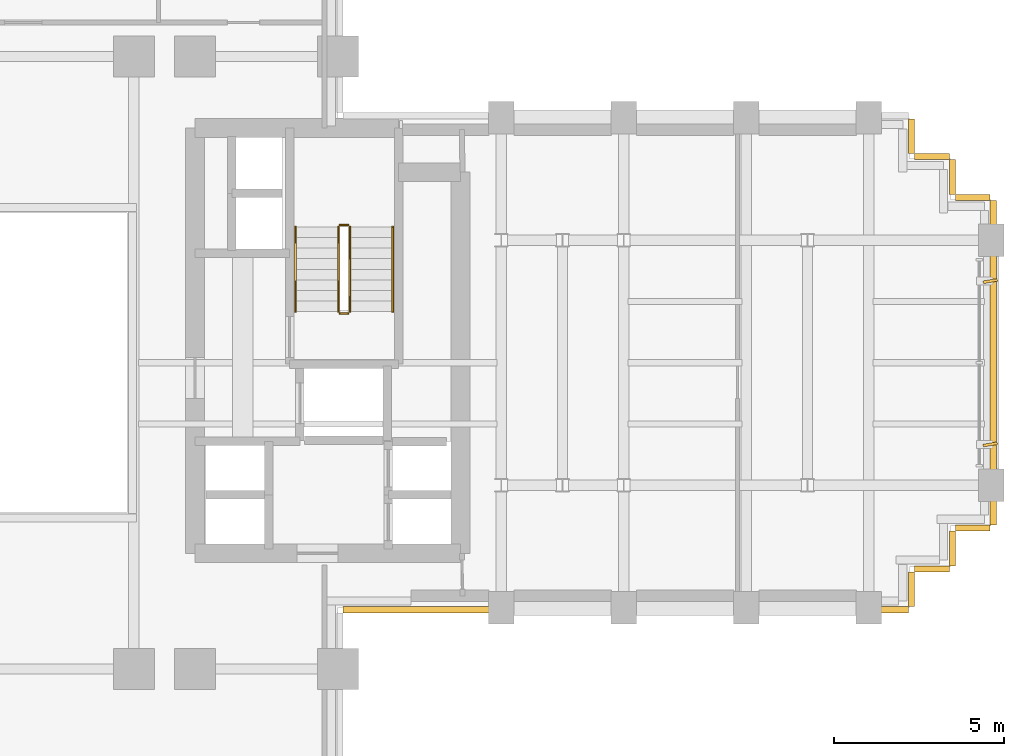
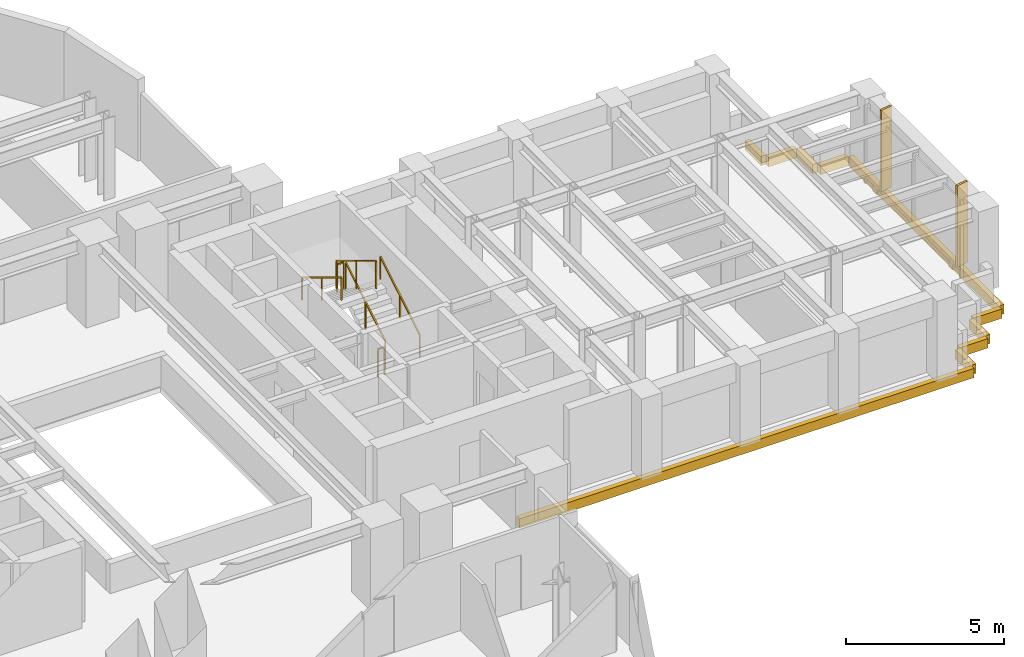
# One storey, part 15 of 16: 10 coverings, 6 railings, 2 shading devices.
"""IFC4 building model written with IfcOpenShell, lengths in metres."""

from ifc_helpers import new_model, si_unit, direction, frame, origin, origin_2d, place, context, subcontext, project, spatial, rectangle, extrude, source, transform, mapped, material, layer, layer_set, type_object, element, save


model = new_model("IFC4")

# Units and contexts
model_context = context("Model", 3, precision=1e-05, world=origin(), true_north=direction((0.0, 1.0)))
body_context = subcontext(model_context, "Body", "Model", "MODEL_VIEW")
ifc_project = project(units=[si_unit("LENGTHUNIT", "METRE"), si_unit("AREAUNIT", "SQUARE_METRE"), si_unit("VOLUMEUNIT", "CUBIC_METRE"), si_unit("PLANEANGLEUNIT", "RADIAN"), si_unit("MASSUNIT", "GRAM", prefix="KILO")], contexts=[model_context])

# Site, building, storey
site_placement = place(None, origin())
site = spatial("IfcSite", under=ifc_project, at=site_placement, CompositionType="ELEMENT")
building_placement = place(site_placement, origin())
building = spatial("IfcBuilding", under=site, at=building_placement, Name="Keilestroom Media Tower", CompositionType="ELEMENT")
storey_placement = place(building_placement, frame((0.0, 0.0, 85.0)))
storey = spatial("IfcBuildingStorey", under=building, at=storey_placement, Name="L22", CompositionType="ELEMENT", Elevation=85.0)

# Railings
ifc_material_1 = material(Name="Brushed Stainless Steel 1.4301", Category="steel")
railing_type_1 = type_object("IfcRailingType", Name="Stair-Pitch-Handrail-920", PredefinedType="HANDRAIL", material=ifc_material_1)
railing_1_placement = place(storey_placement, frame((11.2099609375, 1.5, 0.18896484375)))
element("IfcRailing", 1, at=railing_1_placement, inside=storey, type_object=railing_type_1, Name="L22 ST-2 stair handrail 1", PredefinedType="HANDRAIL", context=body_context, shape_type="SweptSolid", body=[
    extrude(rectangle(XDim=0.048095703125, YDim=0.048095703125, at=origin_2d()), frame((0.0, 0.0, 0.8759765625), z_axis=(0.0, 0.855470815493, 0.517851024754), x_axis=(-1.0, 0.0, 0.0)), (0.0, 0.0, 1.0), 2.917724609375),
    extrude(rectangle(XDim=0.0419921875, YDim=0.0419921875, at=origin_2d()), origin(), (0.0, 0.0, 1.0), 0.84375),
    extrude(rectangle(XDim=0.0419921875, YDim=0.0419921875, at=origin_2d()), frame((0.0, 1.248046875, 0.75537109375)), (0.0, 0.0, 1.0), 0.84375),
    extrude(rectangle(XDim=0.0419921875, YDim=0.0419921875, at=origin_2d()), frame((0.0, 2.49609375, 1.510986328125)), (0.0, 0.0, 1.0), 0.84375),
])
railing_2_placement = place(storey_placement, frame((8.35009765625, 3.99609375, 1.888916015625)))
element("IfcRailing", 2, at=railing_2_placement, inside=storey, type_object=railing_type_1, Name="L22 ST-2 stair handrail 2", PredefinedType="HANDRAIL", context=body_context, shape_type="SweptSolid", body=[
    extrude(rectangle(XDim=0.048095703125, YDim=0.048095703125, at=origin_2d()), frame((0.0, 0.0, 0.8759765625), z_axis=(0.0, -0.855470815493, 0.517851024754), x_axis=(1.0, 0.0, 0.0)), (0.0, 0.0, 1.0), 2.917724609375),
    extrude(rectangle(XDim=0.0419921875, YDim=0.0419921875, at=origin_2d()), origin(), (0.0, 0.0, 1.0), 0.84375),
    extrude(rectangle(XDim=0.0419921875, YDim=0.0419921875, at=origin_2d()), frame((0.0, -1.248046875, 0.75537109375)), (0.0, 0.0, 1.0), 0.84375),
    extrude(rectangle(XDim=0.0419921875, YDim=0.0419921875, at=origin_2d()), frame((0.0, -2.49609375, 1.510986328125)), (0.0, 0.0, 1.0), 0.84375),
])
ifc_material_2 = material(Name="Painted Steel Balustrade", Category="steel")
railing_type_2 = type_object("IfcRailingType", Name="Stair-Well-And-Landing-Guard-1100", PredefinedType="GUARDRAIL", material=ifc_material_2)
railing_3_placement = place(storey_placement, frame((9.949951171875, 1.5, 0.18896484375)))
element("IfcRailing", 3, at=railing_3_placement, inside=storey, type_object=railing_type_2, Name="L22 ST-2 stair guard 1", PredefinedType="GUARDRAIL", context=body_context, shape_type="SweptSolid", body=[
    extrude(rectangle(XDim=0.048095703125, YDim=0.048095703125, at=origin_2d()), frame((0.0, 0.0, 1.076171875), z_axis=(0.0, 0.855470815493, 0.517851024754), x_axis=(-1.0, 0.0, 0.0)), (0.0, 0.0, 1.0), 2.917724609375),
    extrude(rectangle(XDim=0.0419921875, YDim=0.0419921875, at=origin_2d()), origin(), (0.0, 0.0, 1.0), 1.0439453125),
    extrude(rectangle(XDim=0.0419921875, YDim=0.0419921875, at=origin_2d()), frame((0.0, 1.248046875, 0.75537109375)), (0.0, 0.0, 1.0), 1.0439453125),
    extrude(rectangle(XDim=0.0419921875, YDim=0.0419921875, at=origin_2d()), frame((0.0, 2.49609375, 1.510986328125)), (0.0, 0.0, 1.0), 1.0439453125),
])
railing_4_placement = place(storey_placement, frame((9.89990234375, 4.0458984375, 1.699951171875)))
element("IfcRailing", 4, at=railing_4_placement, inside=storey, type_object=railing_type_2, Name="L22 ST-2 stair guard 2", PredefinedType="GUARDRAIL", context=body_context, shape_type="SweptSolid", body=[
    extrude(rectangle(XDim=0.048095703125, YDim=0.048095703125, at=origin_2d()), frame((0.0, 0.0, 1.076171875), z_axis=(-1.0, 0.0, 0.0), x_axis=(0.0, -1.0, 0.0)), (0.0, 0.0, 1.0), 0.239990234375),
    extrude(rectangle(XDim=0.0419921875, YDim=0.0419921875, at=origin_2d()), origin(), (0.0, 0.0, 1.0), 1.0439453125),
    extrude(rectangle(XDim=0.0419921875, YDim=0.0419921875, at=origin_2d()), frame((-0.239990234375, 0.0, 0.0)), (0.0, 0.0, 1.0), 1.0439453125),
])
railing_5_placement = place(storey_placement, frame((9.610107421875, 3.99609375, 1.888916015625)))
element("IfcRailing", 5, at=railing_5_placement, inside=storey, type_object=railing_type_2, Name="L22 ST-2 stair guard 3", PredefinedType="GUARDRAIL", context=body_context, shape_type="SweptSolid", body=[
    extrude(rectangle(XDim=0.048095703125, YDim=0.048095703125, at=origin_2d()), frame((0.0, 0.0, 1.076171875), z_axis=(0.0, -0.855470815493, 0.517851024754), x_axis=(1.0, 0.0, 0.0)), (0.0, 0.0, 1.0), 2.917724609375),
    extrude(rectangle(XDim=0.0419921875, YDim=0.0419921875, at=origin_2d()), origin(), (0.0, 0.0, 1.0), 1.0439453125),
    extrude(rectangle(XDim=0.0419921875, YDim=0.0419921875, at=origin_2d()), frame((0.0, -1.248046875, 0.75537109375)), (0.0, 0.0, 1.0), 1.0439453125),
    extrude(rectangle(XDim=0.0419921875, YDim=0.0419921875, at=origin_2d()), frame((0.0, -2.49609375, 1.510986328125)), (0.0, 0.0, 1.0), 1.0439453125),
])
railing_6_placement = place(storey_placement, frame((9.89990234375, 1.449951171875, 0.0)))
element("IfcRailing", 6, at=railing_6_placement, inside=storey, type_object=railing_type_2, Name="L22 ST-2 stair guard 4", PredefinedType="GUARDRAIL", context=body_context, shape_type="SweptSolid", body=[
    extrude(rectangle(XDim=0.048095703125, YDim=0.048095703125, at=origin_2d()), frame((0.0, 0.0, 1.076171875), z_axis=(-1.0, 0.0, 0.0), x_axis=(0.0, -1.0, 0.0)), (0.0, 0.0, 1.0), 0.239990234375),
    extrude(rectangle(XDim=0.0419921875, YDim=0.0419921875, at=origin_2d()), origin(), (0.0, 0.0, 1.0), 1.0439453125),
    extrude(rectangle(XDim=0.0419921875, YDim=0.0419921875, at=origin_2d()), frame((-0.239990234375, 0.0, 0.0)), (0.0, 0.0, 1.0), 1.0439453125),
])

# Shading devices
ifc_material_3 = material(Name="Bronze Anodised Aluminium", Category="aluminium")
shading_device_type = type_object("IfcShadingDeviceType", Name="Facade-Vertical-Sunshade-Fin-SHD-1", PredefinedType="USERDEFINED", material=ifc_material_3)
shared_shape_1 = source(origin(), body_context, "Body", "SweptSolid", [
    extrude(rectangle(XDim=0.419921875, YDim=0.080078125, at=origin_2d()), origin(), (0.0, 0.0, 1.0), 3.139892578125),
])
for number, where, z_axis, x_axis, name in (
    (7, (28.77001953125, -2.39990234375, 0.0), (0.0, 0.0, 1.0), (0.985437590637, 0.170037510451, 0.0), "L22 Twisting Sunshade Fin SHD-1 031"),
    (8, (28.77001953125, 2.39990234375, 0.0), (0.0, 0.0, 1.0), (0.985437590637, 0.170037510451, 0.0), "L22 Twisting Sunshade Fin SHD-1 032"),
):
    element("IfcShadingDevice", number, at=place(storey_placement, frame(where, z_axis=z_axis, x_axis=x_axis)), inside=storey, type_object=shading_device_type, Name=name, ObjectType="SUNSHADE", PredefinedType="USERDEFINED", context=body_context, shape_type="MappedRepresentation", body=[
        mapped(shared_shape_1, transform((0.0, 0.0, 0.0), x_axis=(1.0, 0.0, 0.0), y_axis=(0.0, 1.0, 0.0), z_axis=(0.0, 0.0, 1.0), scale=1.0)),
    ])

# Coverings
ifc_material_4 = material(Name="Precast concrete C40/50", Category="concrete")
ifc_layer = layer(ifc_material_4, 0.1201171875)
ifc_layer_set = layer_set([ifc_layer], Name="Precast concrete C40/50")
covering_type = type_object("IfcCoveringType", Name="Exterior-Precast-Spandrel-Cladding-Panel-120", PredefinedType="CLADDING", material=ifc_layer_set)
shared_shape_2 = source(origin(), body_context, "Body", "SweptSolid", [
    extrude(rectangle(XDim=1.02001953125, YDim=0.179931640625, at=origin_2d()), origin(), (0.0, 0.0, 1.0), 0.360107421875),
])
for number, where, z_axis, x_axis, name in (
    (9, (28.260009765625, -4.860107421875, -0.5400390625), (0.0, 0.0, 1.0), (-1.0, 0.0, 0.0), "L22 Precast Slab-Edge Fascia Cornice 01"),
    (10, (27.659912109375, -5.4599609375, -0.5400390625), (0.0, 0.0, 1.0), (0.0, -1.0, 0.0), "L22 Precast Slab-Edge Fascia Cornice 02"),
    (11, (27.06005859375, -6.06005859375, -0.5400390625), (0.0, 0.0, 1.0), (-1.0, 0.0, 0.0), "L22 Precast Slab-Edge Fascia Cornice 03"),
    (12, (26.4599609375, -6.659912109375, -0.5400390625), (0.0, 0.0, 1.0), (0.0, -1.0, 0.0), "L22 Precast Slab-Edge Fascia Cornice 04"),
    (13, (26.4599609375, 6.659912109375, -0.5400390625), (0.0, 0.0, 1.0), (0.0, -1.0, 0.0), "L22 Precast Slab-Edge Fascia Cornice 38"),
    (14, (27.06005859375, 6.06005859375, -0.5400390625), (0.0, 0.0, 1.0), (1.0, 0.0, 0.0), "L22 Precast Slab-Edge Fascia Cornice 39"),
    (15, (27.659912109375, 5.4599609375, -0.5400390625), (0.0, 0.0, 1.0), (0.0, -1.0, 0.0), "L22 Precast Slab-Edge Fascia Cornice 40"),
    (16, (28.260009765625, 4.860107421875, -0.5400390625), (0.0, 0.0, 1.0), (1.0, 0.0, 0.0), "L22 Precast Slab-Edge Fascia Cornice 41"),
):
    element("IfcCovering", number, at=place(storey_placement, frame(where, z_axis=z_axis, x_axis=x_axis)), inside=storey, type_object=covering_type, Name=name, PredefinedType="CLADDING", context=body_context, shape_type="MappedRepresentation", body=[
        mapped(shared_shape_2, transform((0.0, 0.0, 0.0), x_axis=(1.0, 0.0, 0.0), y_axis=(0.0, 1.0, 0.0), z_axis=(0.0, 0.0, 1.0), scale=1.0)),
    ])
shared_shape_3 = source(origin(), body_context, "Body", "SweptSolid", [
    extrude(rectangle(XDim=16.6201171875, YDim=0.179931640625, at=origin_2d()), origin(), (0.0, 0.0, 1.0), 0.360107421875),
])
covering_1_placement = place(storey_placement, frame((18.06005859375, -7.260009765625, -0.5400390625), z_axis=(0.0, 0.0, 1.0), x_axis=(-1.0, 0.0, 0.0)))
element("IfcCovering", 17, at=covering_1_placement, inside=storey, type_object=covering_type, Name="L22 Precast Slab-Edge Fascia Cornice 05", PredefinedType="CLADDING", context=body_context, shape_type="MappedRepresentation", body=[
    mapped(shared_shape_3, transform((0.0, 0.0, 0.0), x_axis=(1.0, 0.0, 0.0), y_axis=(0.0, 1.0, 0.0), z_axis=(0.0, 0.0, 1.0), scale=1.0)),
])
shared_shape_4 = source(origin(), body_context, "Body", "SweptSolid", [
    extrude(rectangle(XDim=9.5400390625, YDim=0.179931640625, at=origin_2d()), origin(), (0.0, 0.0, 1.0), 0.360107421875),
])
covering_2_placement = place(storey_placement, frame((28.860107421875, 0.0, -0.5400390625), z_axis=(0.0, 0.0, 1.0), x_axis=(0.0, -1.0, 0.0)))
element("IfcCovering", 18, at=covering_2_placement, inside=storey, type_object=covering_type, Name="L22 Precast Slab-Edge Fascia Cornice 42", PredefinedType="CLADDING", context=body_context, shape_type="MappedRepresentation", body=[
    mapped(shared_shape_4, transform((0.0, 0.0, 0.0), x_axis=(1.0, 0.0, 0.0), y_axis=(0.0, 1.0, 0.0), z_axis=(0.0, 0.0, 1.0), scale=1.0)),
])

save(model, "model.ifc")
